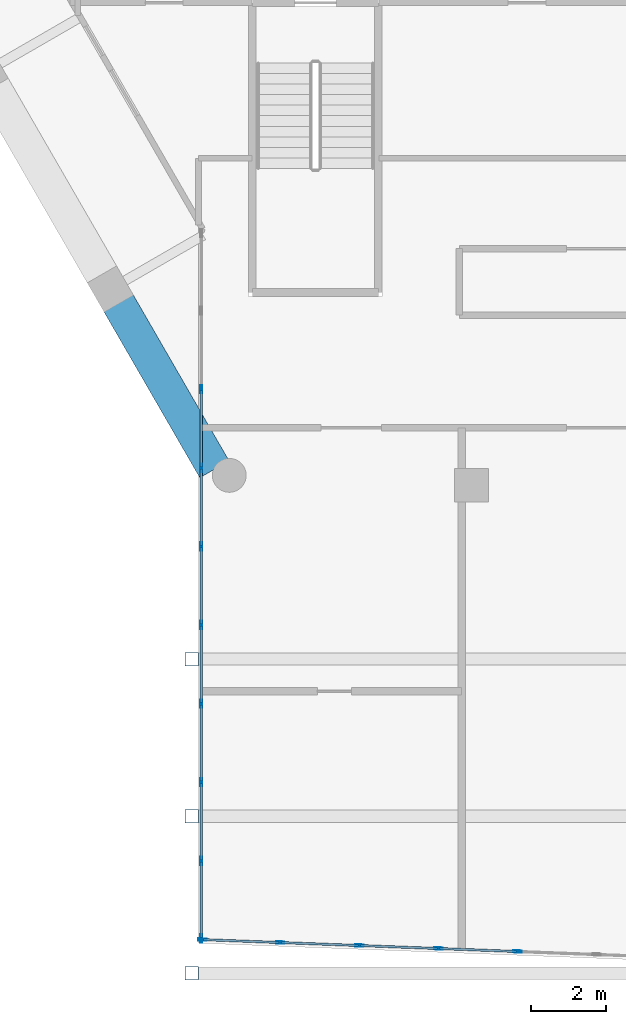
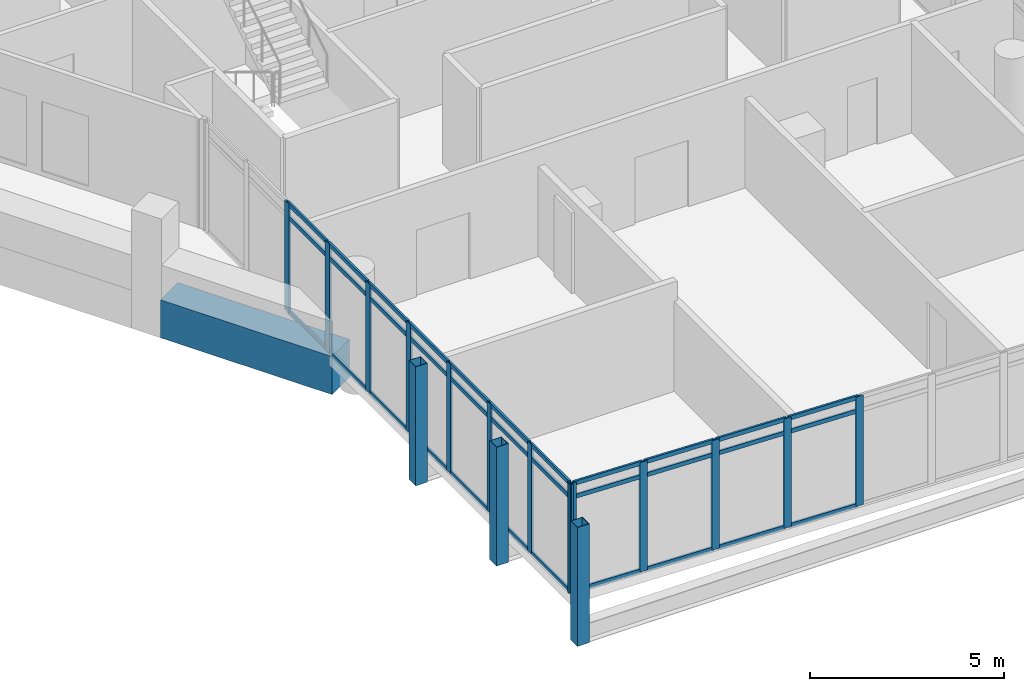
# One storey, part 2 of 25: 49 members, 1 beam, 2 elements without a shape of their own.
"""IFC4 building model written with IfcOpenShell, lengths in metres."""

from ifc_helpers import new_model, si_unit, direction, frame, origin, origin_2d, place, context, subcontext, project, spatial, rectangle, hollow_rectangle, extrude, material, material_profile, profile_set, type_object, element, aggregate, save


model = new_model("IFC4")

# Units and contexts
model_context = context("Model", 3, precision=1e-05, world=origin(), true_north=direction((0.0, 1.0)))
body_context = subcontext(model_context, "Body", "Model", "MODEL_VIEW")
ifc_project = project(units=[si_unit("LENGTHUNIT", "METRE"), si_unit("AREAUNIT", "SQUARE_METRE"), si_unit("VOLUMEUNIT", "CUBIC_METRE"), si_unit("PLANEANGLEUNIT", "RADIAN"), si_unit("MASSUNIT", "GRAM", prefix="KILO")], contexts=[model_context])

# Site, building, storey
site_placement = place(None, origin())
site = spatial("IfcSite", under=ifc_project, at=site_placement, CompositionType="ELEMENT")
building_placement = place(site_placement, origin())
building = spatial("IfcBuilding", under=site, at=building_placement, Name="Ostrander Bayou Hotel Tower", CompositionType="ELEMENT")
storey_placement = place(building_placement, frame((0.0, 0.0, 229.5)))
storey = spatial("IfcBuildingStorey", under=building, at=storey_placement, Name="L57", CompositionType="ELEMENT", Elevation=229.5)

# Curtain wall, members
ifc_material_1 = material(Name="Aluminium and clear glass", Category="aluminium")
curtain_wall_type = type_object("IfcCurtainWallType", Name="CW-BAR glazed wall", PredefinedType="NOTDEFINED", material=ifc_material_1)
curtain_wall_1_placement = place(storey_placement, origin())
curtain_wall_1 = element("IfcCurtainWall", 1, at=curtain_wall_1_placement, inside=storey, type_object=curtain_wall_type, Name="CW-BAR L57:SB5S:E", PredefinedType="NOTDEFINED")
ifc_material_2 = material(Name="Aluminium", Category="aluminium")
ifc_material_profile_1 = material_profile(ifc_material_2, hollow_rectangle(XDim=0.06005859375, YDim=0.219970703125, WallThickness=0.00390625, at=origin_2d()))
ifc_profile_set_1 = profile_set([ifc_material_profile_1], Name="Aluminium")
member_type_1 = type_object("IfcMemberType", Name="CW-BR mullion 60 x 220 mm", PredefinedType="MULLION", material=ifc_profile_set_1)
member_1_placement = place(storey_placement, frame((-10.51220703125, -13.972412109375, 0.0), z_axis=(0.0, 0.0, 1.0), x_axis=(1.0, 0.0, 0.0)))
member_1 = element("IfcMember", 2, at=member_1_placement, type_object=member_type_1, Name="CW-BAR mullion 3", PredefinedType="MULLION", context=body_context, shape_type="SweptSolid", body=[
    extrude(hollow_rectangle(XDim=0.06005859375, YDim=0.219970703125, WallThickness=0.00390625, at=origin_2d()), origin(), (0.0, 0.0, 1.0), 3.449951171875),
])
member_2_placement = place(storey_placement, frame((-10.51220703125, -16.0625, 0.0), z_axis=(0.0, 0.0, 1.0), x_axis=(1.0, 0.0, 0.0)))
member_2 = element("IfcMember", 3, at=member_2_placement, type_object=member_type_1, Name="CW-BAR mullion 4", PredefinedType="MULLION", context=body_context, shape_type="SweptSolid", body=[
    extrude(hollow_rectangle(XDim=0.06005859375, YDim=0.219970703125, WallThickness=0.00390625, at=origin_2d()), origin(), (0.0, 0.0, 1.0), 3.449951171875),
])
member_3_placement = place(storey_placement, frame((-10.51220703125, -18.152587890625, 0.0), z_axis=(0.0, 0.0, 1.0), x_axis=(1.0, 0.0, 0.0)))
member_3 = element("IfcMember", 4, at=member_3_placement, type_object=member_type_1, Name="CW-BAR mullion 5", PredefinedType="MULLION", context=body_context, shape_type="SweptSolid", body=[
    extrude(hollow_rectangle(XDim=0.06005859375, YDim=0.219970703125, WallThickness=0.00390625, at=origin_2d()), origin(), (0.0, 0.0, 1.0), 3.449951171875),
])
member_4_placement = place(storey_placement, frame((-10.51220703125, -20.24267578125, 0.0), z_axis=(0.0, 0.0, 1.0), x_axis=(1.0, 0.0, 0.0)))
member_4 = element("IfcMember", 5, at=member_4_placement, type_object=member_type_1, Name="CW-BAR mullion 6", PredefinedType="MULLION", context=body_context, shape_type="SweptSolid", body=[
    extrude(hollow_rectangle(XDim=0.06005859375, YDim=0.219970703125, WallThickness=0.00390625, at=origin_2d()), origin(), (0.0, 0.0, 1.0), 3.449951171875),
])
member_5_placement = place(storey_placement, frame((-10.51220703125, -22.33251953125, 0.0), z_axis=(0.0, 0.0, 1.0), x_axis=(1.0, 0.0, 0.0)))
member_5 = element("IfcMember", 6, at=member_5_placement, type_object=member_type_1, Name="CW-BAR mullion 7", PredefinedType="MULLION", context=body_context, shape_type="SweptSolid", body=[
    extrude(hollow_rectangle(XDim=0.06005859375, YDim=0.219970703125, WallThickness=0.00390625, at=origin_2d()), origin(), (0.0, 0.0, 1.0), 3.449951171875),
])
member_6_placement = place(storey_placement, frame((-10.51220703125, -24.422607421875, 0.0), z_axis=(0.0, 0.0, 1.0), x_axis=(1.0, 0.0, 0.0)))
member_6 = element("IfcMember", 7, at=member_6_placement, type_object=member_type_1, Name="CW-BAR mullion 8", PredefinedType="MULLION", context=body_context, shape_type="SweptSolid", body=[
    extrude(hollow_rectangle(XDim=0.06005859375, YDim=0.219970703125, WallThickness=0.00390625, at=origin_2d()), origin(), (0.0, 0.0, 1.0), 3.449951171875),
])
member_7_placement = place(storey_placement, frame((-10.51220703125, -26.5126953125, 0.0), z_axis=(0.0, 0.0, 1.0), x_axis=(1.0, 0.0, 0.0)))
member_7 = element("IfcMember", 8, at=member_7_placement, type_object=member_type_1, Name="CW-BAR mullion 9", PredefinedType="MULLION", context=body_context, shape_type="SweptSolid", body=[
    extrude(hollow_rectangle(XDim=0.06005859375, YDim=0.219970703125, WallThickness=0.00390625, at=origin_2d()), origin(), (0.0, 0.0, 1.0), 3.449951171875),
])
member_8_placement = place(storey_placement, frame((-10.51220703125, -28.57275390625, 0.0), z_axis=(0.0, 0.0, 1.0), x_axis=(1.0, 0.0, 0.0)))
member_8 = element("IfcMember", 9, at=member_8_placement, type_object=member_type_1, Name="CW-BAR mullion 10", PredefinedType="MULLION", context=body_context, shape_type="SweptSolid", body=[
    extrude(hollow_rectangle(XDim=0.06005859375, YDim=0.219970703125, WallThickness=0.00390625, at=origin_2d()), origin(), (0.0, 0.0, 1.0), 3.449951171875),
])

curtain_wall_2_placement = place(storey_placement, origin())
curtain_wall_2 = element("IfcCurtainWall", 10, at=curtain_wall_2_placement, inside=storey, type_object=curtain_wall_type, Name="CW-BAR L57:SB5S:T", PredefinedType="NOTDEFINED")
member_9_placement = place(storey_placement, frame((-10.482177734375, -28.60400390625, 0.0), z_axis=(0.0, 0.0, 1.0), x_axis=(0.037757725854, 0.99928692283, 0.0)))
member_9 = element("IfcMember", 11, at=member_9_placement, type_object=member_type_1, Name="CW-BAR mullion 1", PredefinedType="MULLION", context=body_context, shape_type="SweptSolid", body=[
    extrude(hollow_rectangle(XDim=0.06005859375, YDim=0.219970703125, WallThickness=0.00390625, at=origin_2d()), origin(), (0.0, 0.0, 1.0), 3.449951171875),
])
member_10_placement = place(storey_placement, frame((-8.40966796875, -28.68212890625, 0.0), z_axis=(0.0, 0.0, 1.0), x_axis=(0.037757725854, 0.99928692283, 0.0)))
member_10 = element("IfcMember", 12, at=member_10_placement, type_object=member_type_1, Name="CW-BAR mullion 2", PredefinedType="MULLION", context=body_context, shape_type="SweptSolid", body=[
    extrude(hollow_rectangle(XDim=0.06005859375, YDim=0.219970703125, WallThickness=0.00390625, at=origin_2d()), origin(), (0.0, 0.0, 1.0), 3.449951171875),
])
member_11_placement = place(storey_placement, frame((-6.307373046875, -28.76171875, 0.0), z_axis=(0.0, 0.0, 1.0), x_axis=(0.037757725854, 0.99928692283, 0.0)))
member_11 = element("IfcMember", 13, at=member_11_placement, type_object=member_type_1, Name="CW-BAR mullion 3", PredefinedType="MULLION", context=body_context, shape_type="SweptSolid", body=[
    extrude(hollow_rectangle(XDim=0.06005859375, YDim=0.219970703125, WallThickness=0.00390625, at=origin_2d()), origin(), (0.0, 0.0, 1.0), 3.449951171875),
])
member_12_placement = place(storey_placement, frame((-4.204833984375, -28.841064453125, 0.0), z_axis=(0.0, 0.0, 1.0), x_axis=(0.037757725854, 0.99928692283, 0.0)))
member_12 = element("IfcMember", 14, at=member_12_placement, type_object=member_type_1, Name="CW-BAR mullion 4", PredefinedType="MULLION", context=body_context, shape_type="SweptSolid", body=[
    extrude(hollow_rectangle(XDim=0.06005859375, YDim=0.219970703125, WallThickness=0.00390625, at=origin_2d()), origin(), (0.0, 0.0, 1.0), 3.449951171875),
])
member_13_placement = place(storey_placement, frame((-2.1025390625, -28.920654296875, 0.0), z_axis=(0.0, 0.0, 1.0), x_axis=(0.037757725854, 0.99928692283, 0.0)))
member_13 = element("IfcMember", 15, at=member_13_placement, type_object=member_type_1, Name="CW-BAR mullion 5", PredefinedType="MULLION", context=body_context, shape_type="SweptSolid", body=[
    extrude(hollow_rectangle(XDim=0.06005859375, YDim=0.219970703125, WallThickness=0.00390625, at=origin_2d()), origin(), (0.0, 0.0, 1.0), 3.449951171875),
])

# Member
ifc_material_3 = material(Name="Aluminium", Category="aluminium")
ifc_material_profile_2 = material_profile(ifc_material_3, hollow_rectangle(XDim=0.06005859375, YDim=0.1298828125, WallThickness=0.00390625, at=origin_2d()))
ifc_profile_set_2 = profile_set([ifc_material_profile_2], Name="Aluminium")
member_type_2 = type_object("IfcMemberType", Name="CW-BR transom 60 x 130 mm", PredefinedType="USERDEFINED", material=ifc_profile_set_2)
member_14_placement = place(storey_placement, frame((-10.51220703125, -14.00244140625, 0.030029296875), z_axis=(0.0, -1.0, 0.0), x_axis=(1.0, 0.0, 0.0)))
member_14 = element("IfcMember", 16, at=member_14_placement, type_object=member_type_2, Name="CW-BAR transom 3.1", ObjectType="TRANSOM", PredefinedType="USERDEFINED", context=body_context, shape_type="SweptSolid", body=[
    extrude(hollow_rectangle(XDim=0.06005859375, YDim=0.1298828125, WallThickness=0.00390625, at=origin_2d()), origin(), (0.0, 0.0, 1.0), 2.030029296875),
])

member_15_placement = place(storey_placement, frame((-10.51220703125, -14.00244140625, 3.0), z_axis=(0.0, -1.0, 0.0), x_axis=(1.0, 0.0, 0.0)))
member_15 = element("IfcMember", 17, at=member_15_placement, type_object=member_type_2, Name="CW-BAR transom 3.2", ObjectType="TRANSOM", PredefinedType="USERDEFINED", context=body_context, shape_type="SweptSolid", body=[
    extrude(hollow_rectangle(XDim=0.06005859375, YDim=0.1298828125, WallThickness=0.00390625, at=origin_2d()), origin(), (0.0, 0.0, 1.0), 2.030029296875),
])

member_16_placement = place(storey_placement, frame((-10.51220703125, -14.00244140625, 3.419921875), z_axis=(0.0, -1.0, 0.0), x_axis=(1.0, 0.0, 0.0)))
member_16 = element("IfcMember", 18, at=member_16_placement, type_object=member_type_2, Name="CW-BAR transom 3.3", ObjectType="TRANSOM", PredefinedType="USERDEFINED", context=body_context, shape_type="SweptSolid", body=[
    extrude(hollow_rectangle(XDim=0.06005859375, YDim=0.1298828125, WallThickness=0.00390625, at=origin_2d()), origin(), (0.0, 0.0, 1.0), 2.030029296875),
])

member_17_placement = place(storey_placement, frame((-10.51220703125, -16.092529296875, 0.030029296875), z_axis=(0.0, -1.0, 0.0), x_axis=(1.0, 0.0, 0.0)))
member_17 = element("IfcMember", 19, at=member_17_placement, type_object=member_type_2, Name="CW-BAR transom 4.1", ObjectType="TRANSOM", PredefinedType="USERDEFINED", context=body_context, shape_type="SweptSolid", body=[
    extrude(hollow_rectangle(XDim=0.06005859375, YDim=0.1298828125, WallThickness=0.00390625, at=origin_2d()), origin(), (0.0, 0.0, 1.0), 2.030029296875),
])

member_18_placement = place(storey_placement, frame((-10.51220703125, -16.092529296875, 3.0), z_axis=(0.0, -1.0, 0.0), x_axis=(1.0, 0.0, 0.0)))
member_18 = element("IfcMember", 20, at=member_18_placement, type_object=member_type_2, Name="CW-BAR transom 4.2", ObjectType="TRANSOM", PredefinedType="USERDEFINED", context=body_context, shape_type="SweptSolid", body=[
    extrude(hollow_rectangle(XDim=0.06005859375, YDim=0.1298828125, WallThickness=0.00390625, at=origin_2d()), origin(), (0.0, 0.0, 1.0), 2.030029296875),
])

member_19_placement = place(storey_placement, frame((-10.51220703125, -16.092529296875, 3.419921875), z_axis=(0.0, -1.0, 0.0), x_axis=(1.0, 0.0, 0.0)))
member_19 = element("IfcMember", 21, at=member_19_placement, type_object=member_type_2, Name="CW-BAR transom 4.3", ObjectType="TRANSOM", PredefinedType="USERDEFINED", context=body_context, shape_type="SweptSolid", body=[
    extrude(hollow_rectangle(XDim=0.06005859375, YDim=0.1298828125, WallThickness=0.00390625, at=origin_2d()), origin(), (0.0, 0.0, 1.0), 2.030029296875),
])

member_20_placement = place(storey_placement, frame((-10.51220703125, -18.1826171875, 0.030029296875), z_axis=(0.0, -1.0, 0.0), x_axis=(1.0, 0.0, 0.0)))
member_20 = element("IfcMember", 22, at=member_20_placement, type_object=member_type_2, Name="CW-BAR transom 5.1", ObjectType="TRANSOM", PredefinedType="USERDEFINED", context=body_context, shape_type="SweptSolid", body=[
    extrude(hollow_rectangle(XDim=0.06005859375, YDim=0.1298828125, WallThickness=0.00390625, at=origin_2d()), origin(), (0.0, 0.0, 1.0), 2.030029296875),
])

member_21_placement = place(storey_placement, frame((-10.51220703125, -18.1826171875, 3.0), z_axis=(0.0, -1.0, 0.0), x_axis=(1.0, 0.0, 0.0)))
member_21 = element("IfcMember", 23, at=member_21_placement, type_object=member_type_2, Name="CW-BAR transom 5.2", ObjectType="TRANSOM", PredefinedType="USERDEFINED", context=body_context, shape_type="SweptSolid", body=[
    extrude(hollow_rectangle(XDim=0.06005859375, YDim=0.1298828125, WallThickness=0.00390625, at=origin_2d()), origin(), (0.0, 0.0, 1.0), 2.030029296875),
])

member_22_placement = place(storey_placement, frame((-10.51220703125, -18.1826171875, 3.419921875), z_axis=(0.0, -1.0, 0.0), x_axis=(1.0, 0.0, 0.0)))
member_22 = element("IfcMember", 24, at=member_22_placement, type_object=member_type_2, Name="CW-BAR transom 5.3", ObjectType="TRANSOM", PredefinedType="USERDEFINED", context=body_context, shape_type="SweptSolid", body=[
    extrude(hollow_rectangle(XDim=0.06005859375, YDim=0.1298828125, WallThickness=0.00390625, at=origin_2d()), origin(), (0.0, 0.0, 1.0), 2.030029296875),
])

member_23_placement = place(storey_placement, frame((-10.51220703125, -20.2724609375, 0.030029296875), z_axis=(0.0, -1.0, 0.0), x_axis=(1.0, 0.0, 0.0)))
member_23 = element("IfcMember", 25, at=member_23_placement, type_object=member_type_2, Name="CW-BAR transom 6.1", ObjectType="TRANSOM", PredefinedType="USERDEFINED", context=body_context, shape_type="SweptSolid", body=[
    extrude(hollow_rectangle(XDim=0.06005859375, YDim=0.1298828125, WallThickness=0.00390625, at=origin_2d()), origin(), (0.0, 0.0, 1.0), 2.0302734375),
])

member_24_placement = place(storey_placement, frame((-10.51220703125, -20.2724609375, 3.0), z_axis=(0.0, -1.0, 0.0), x_axis=(1.0, 0.0, 0.0)))
member_24 = element("IfcMember", 26, at=member_24_placement, type_object=member_type_2, Name="CW-BAR transom 6.2", ObjectType="TRANSOM", PredefinedType="USERDEFINED", context=body_context, shape_type="SweptSolid", body=[
    extrude(hollow_rectangle(XDim=0.06005859375, YDim=0.1298828125, WallThickness=0.00390625, at=origin_2d()), origin(), (0.0, 0.0, 1.0), 2.0302734375),
])

member_25_placement = place(storey_placement, frame((-10.51220703125, -20.2724609375, 3.419921875), z_axis=(0.0, -1.0, 0.0), x_axis=(1.0, 0.0, 0.0)))
member_25 = element("IfcMember", 27, at=member_25_placement, type_object=member_type_2, Name="CW-BAR transom 6.3", ObjectType="TRANSOM", PredefinedType="USERDEFINED", context=body_context, shape_type="SweptSolid", body=[
    extrude(hollow_rectangle(XDim=0.06005859375, YDim=0.1298828125, WallThickness=0.00390625, at=origin_2d()), origin(), (0.0, 0.0, 1.0), 2.0302734375),
])

member_26_placement = place(storey_placement, frame((-10.51220703125, -22.362548828125, 0.030029296875), z_axis=(0.0, -1.0, 0.0), x_axis=(1.0, 0.0, 0.0)))
member_26 = element("IfcMember", 28, at=member_26_placement, type_object=member_type_2, Name="CW-BAR transom 7.1", ObjectType="TRANSOM", PredefinedType="USERDEFINED", context=body_context, shape_type="SweptSolid", body=[
    extrude(hollow_rectangle(XDim=0.06005859375, YDim=0.1298828125, WallThickness=0.00390625, at=origin_2d()), origin(), (0.0, 0.0, 1.0), 2.030029296875),
])

member_27_placement = place(storey_placement, frame((-10.51220703125, -22.362548828125, 3.0), z_axis=(0.0, -1.0, 0.0), x_axis=(1.0, 0.0, 0.0)))
member_27 = element("IfcMember", 29, at=member_27_placement, type_object=member_type_2, Name="CW-BAR transom 7.2", ObjectType="TRANSOM", PredefinedType="USERDEFINED", context=body_context, shape_type="SweptSolid", body=[
    extrude(hollow_rectangle(XDim=0.06005859375, YDim=0.1298828125, WallThickness=0.00390625, at=origin_2d()), origin(), (0.0, 0.0, 1.0), 2.030029296875),
])

member_28_placement = place(storey_placement, frame((-10.51220703125, -22.362548828125, 3.419921875), z_axis=(0.0, -1.0, 0.0), x_axis=(1.0, 0.0, 0.0)))
member_28 = element("IfcMember", 30, at=member_28_placement, type_object=member_type_2, Name="CW-BAR transom 7.3", ObjectType="TRANSOM", PredefinedType="USERDEFINED", context=body_context, shape_type="SweptSolid", body=[
    extrude(hollow_rectangle(XDim=0.06005859375, YDim=0.1298828125, WallThickness=0.00390625, at=origin_2d()), origin(), (0.0, 0.0, 1.0), 2.030029296875),
])

member_29_placement = place(storey_placement, frame((-10.51220703125, -24.45263671875, 0.030029296875), z_axis=(0.0, -1.0, 0.0), x_axis=(1.0, 0.0, 0.0)))
member_29 = element("IfcMember", 31, at=member_29_placement, type_object=member_type_2, Name="CW-BAR transom 8.1", ObjectType="TRANSOM", PredefinedType="USERDEFINED", context=body_context, shape_type="SweptSolid", body=[
    extrude(hollow_rectangle(XDim=0.06005859375, YDim=0.1298828125, WallThickness=0.00390625, at=origin_2d()), origin(), (0.0, 0.0, 1.0), 2.030029296875),
])

member_30_placement = place(storey_placement, frame((-10.51220703125, -24.45263671875, 3.0), z_axis=(0.0, -1.0, 0.0), x_axis=(1.0, 0.0, 0.0)))
member_30 = element("IfcMember", 32, at=member_30_placement, type_object=member_type_2, Name="CW-BAR transom 8.2", ObjectType="TRANSOM", PredefinedType="USERDEFINED", context=body_context, shape_type="SweptSolid", body=[
    extrude(hollow_rectangle(XDim=0.06005859375, YDim=0.1298828125, WallThickness=0.00390625, at=origin_2d()), origin(), (0.0, 0.0, 1.0), 2.030029296875),
])

member_31_placement = place(storey_placement, frame((-10.51220703125, -24.45263671875, 3.419921875), z_axis=(0.0, -1.0, 0.0), x_axis=(1.0, 0.0, 0.0)))
member_31 = element("IfcMember", 33, at=member_31_placement, type_object=member_type_2, Name="CW-BAR transom 8.3", ObjectType="TRANSOM", PredefinedType="USERDEFINED", context=body_context, shape_type="SweptSolid", body=[
    extrude(hollow_rectangle(XDim=0.06005859375, YDim=0.1298828125, WallThickness=0.00390625, at=origin_2d()), origin(), (0.0, 0.0, 1.0), 2.030029296875),
])

member_32_placement = place(storey_placement, frame((-10.51220703125, -26.542724609375, 0.030029296875), z_axis=(0.0, -1.0, 0.0), x_axis=(1.0, 0.0, 0.0)))
member_32 = element("IfcMember", 34, at=member_32_placement, type_object=member_type_2, Name="CW-BAR transom 9.1", ObjectType="TRANSOM", PredefinedType="USERDEFINED", context=body_context, shape_type="SweptSolid", body=[
    extrude(hollow_rectangle(XDim=0.06005859375, YDim=0.1298828125, WallThickness=0.00390625, at=origin_2d()), origin(), (0.0, 0.0, 1.0), 2.0),
])

member_33_placement = place(storey_placement, frame((-10.51220703125, -26.542724609375, 3.0), z_axis=(0.0, -1.0, 0.0), x_axis=(1.0, 0.0, 0.0)))
member_33 = element("IfcMember", 35, at=member_33_placement, type_object=member_type_2, Name="CW-BAR transom 9.2", ObjectType="TRANSOM", PredefinedType="USERDEFINED", context=body_context, shape_type="SweptSolid", body=[
    extrude(hollow_rectangle(XDim=0.06005859375, YDim=0.1298828125, WallThickness=0.00390625, at=origin_2d()), origin(), (0.0, 0.0, 1.0), 2.0),
])

member_34_placement = place(storey_placement, frame((-10.51220703125, -26.542724609375, 3.419921875), z_axis=(0.0, -1.0, 0.0), x_axis=(1.0, 0.0, 0.0)))
member_34 = element("IfcMember", 36, at=member_34_placement, type_object=member_type_2, Name="CW-BAR transom 9.3", ObjectType="TRANSOM", PredefinedType="USERDEFINED", context=body_context, shape_type="SweptSolid", body=[
    extrude(hollow_rectangle(XDim=0.06005859375, YDim=0.1298828125, WallThickness=0.00390625, at=origin_2d()), origin(), (0.0, 0.0, 1.0), 2.0),
])

aggregate(curtain_wall_1, [member_1, member_2, member_3, member_4, member_5, member_6, member_7, member_8, member_14, member_15, member_16, member_17, member_18, member_19, member_20, member_21, member_22, member_23, member_24, member_25, member_26, member_27, member_28, member_29, member_30, member_31, member_32, member_33, member_34])

member_35_placement = place(storey_placement, frame((-10.4521484375, -28.60498046875, 0.030029296875), z_axis=(0.999284446259, -0.0378232133, 0.0), x_axis=(0.0378232133, 0.999284446259, 0.0)))
member_35 = element("IfcMember", 37, at=member_35_placement, type_object=member_type_2, Name="CW-BAR transom 1.1", ObjectType="TRANSOM", PredefinedType="USERDEFINED", context=body_context, shape_type="SweptSolid", body=[
    extrude(hollow_rectangle(XDim=0.06005859375, YDim=0.1298828125, WallThickness=0.00390625, at=origin_2d()), origin(), (0.0, 0.0, 1.0), 2.013916015625),
])

member_36_placement = place(storey_placement, frame((-10.4521484375, -28.60498046875, 3.0), z_axis=(0.999284446259, -0.0378232133, 0.0), x_axis=(0.0378232133, 0.999284446259, 0.0)))
member_36 = element("IfcMember", 38, at=member_36_placement, type_object=member_type_2, Name="CW-BAR transom 1.2", ObjectType="TRANSOM", PredefinedType="USERDEFINED", context=body_context, shape_type="SweptSolid", body=[
    extrude(hollow_rectangle(XDim=0.06005859375, YDim=0.1298828125, WallThickness=0.00390625, at=origin_2d()), origin(), (0.0, 0.0, 1.0), 2.013916015625),
])

member_37_placement = place(storey_placement, frame((-10.4521484375, -28.60498046875, 3.419921875), z_axis=(0.999284446259, -0.0378232133, 0.0), x_axis=(0.0378232133, 0.999284446259, 0.0)))
member_37 = element("IfcMember", 39, at=member_37_placement, type_object=member_type_2, Name="CW-BAR transom 1.3", ObjectType="TRANSOM", PredefinedType="USERDEFINED", context=body_context, shape_type="SweptSolid", body=[
    extrude(hollow_rectangle(XDim=0.06005859375, YDim=0.1298828125, WallThickness=0.00390625, at=origin_2d()), origin(), (0.0, 0.0, 1.0), 2.013916015625),
])

member_38_placement = place(storey_placement, frame((-8.3798828125, -28.683349609375, 0.030029296875), z_axis=(0.999287402917, -0.037745017849, 0.0), x_axis=(0.037745017849, 0.999287402917, 0.0)))
member_38 = element("IfcMember", 40, at=member_38_placement, type_object=member_type_2, Name="CW-BAR transom 2.1", ObjectType="TRANSOM", PredefinedType="USERDEFINED", context=body_context, shape_type="SweptSolid", body=[
    extrude(hollow_rectangle(XDim=0.06005859375, YDim=0.1298828125, WallThickness=0.00390625, at=origin_2d()), origin(), (0.0, 0.0, 1.0), 2.0439453125),
])

member_39_placement = place(storey_placement, frame((-8.3798828125, -28.683349609375, 3.0), z_axis=(0.999287402917, -0.037745017849, 0.0), x_axis=(0.037745017849, 0.999287402917, 0.0)))
member_39 = element("IfcMember", 41, at=member_39_placement, type_object=member_type_2, Name="CW-BAR transom 2.2", ObjectType="TRANSOM", PredefinedType="USERDEFINED", context=body_context, shape_type="SweptSolid", body=[
    extrude(hollow_rectangle(XDim=0.06005859375, YDim=0.1298828125, WallThickness=0.00390625, at=origin_2d()), origin(), (0.0, 0.0, 1.0), 2.0439453125),
])

member_40_placement = place(storey_placement, frame((-8.3798828125, -28.683349609375, 3.419921875), z_axis=(0.999287402917, -0.037745017849, 0.0), x_axis=(0.037745017849, 0.999287402917, 0.0)))
member_40 = element("IfcMember", 42, at=member_40_placement, type_object=member_type_2, Name="CW-BAR transom 2.3", ObjectType="TRANSOM", PredefinedType="USERDEFINED", context=body_context, shape_type="SweptSolid", body=[
    extrude(hollow_rectangle(XDim=0.06005859375, YDim=0.1298828125, WallThickness=0.00390625, at=origin_2d()), origin(), (0.0, 0.0, 1.0), 2.0439453125),
])

member_41_placement = place(storey_placement, frame((-6.27734375, -28.7626953125, 0.030029296875), z_axis=(0.99928289053, -0.037864293127, 0.0), x_axis=(0.037864293127, 0.99928289053, 0.0)))
member_41 = element("IfcMember", 43, at=member_41_placement, type_object=member_type_2, Name="CW-BAR transom 3.1", ObjectType="TRANSOM", PredefinedType="USERDEFINED", context=body_context, shape_type="SweptSolid", body=[
    extrude(hollow_rectangle(XDim=0.06005859375, YDim=0.1298828125, WallThickness=0.00390625, at=origin_2d()), origin(), (0.0, 0.0, 1.0), 2.0439453125),
])

member_42_placement = place(storey_placement, frame((-6.27734375, -28.7626953125, 3.0), z_axis=(0.99928289053, -0.037864293127, 0.0), x_axis=(0.037864293127, 0.99928289053, 0.0)))
member_42 = element("IfcMember", 44, at=member_42_placement, type_object=member_type_2, Name="CW-BAR transom 3.2", ObjectType="TRANSOM", PredefinedType="USERDEFINED", context=body_context, shape_type="SweptSolid", body=[
    extrude(hollow_rectangle(XDim=0.06005859375, YDim=0.1298828125, WallThickness=0.00390625, at=origin_2d()), origin(), (0.0, 0.0, 1.0), 2.0439453125),
])

member_43_placement = place(storey_placement, frame((-6.27734375, -28.7626953125, 3.419921875), z_axis=(0.99928289053, -0.037864293127, 0.0), x_axis=(0.037864293127, 0.99928289053, 0.0)))
member_43 = element("IfcMember", 45, at=member_43_placement, type_object=member_type_2, Name="CW-BAR transom 3.3", ObjectType="TRANSOM", PredefinedType="USERDEFINED", context=body_context, shape_type="SweptSolid", body=[
    extrude(hollow_rectangle(XDim=0.06005859375, YDim=0.1298828125, WallThickness=0.00390625, at=origin_2d()), origin(), (0.0, 0.0, 1.0), 2.0439453125),
])

member_44_placement = place(storey_placement, frame((-4.1748046875, -28.84228515625, 0.030029296875), z_axis=(0.999287402917, -0.037745017849, 0.0), x_axis=(0.037745017849, 0.999287402917, 0.0)))
member_44 = element("IfcMember", 46, at=member_44_placement, type_object=member_type_2, Name="CW-BAR transom 4.1", ObjectType="TRANSOM", PredefinedType="USERDEFINED", context=body_context, shape_type="SweptSolid", body=[
    extrude(hollow_rectangle(XDim=0.06005859375, YDim=0.1298828125, WallThickness=0.00390625, at=origin_2d()), origin(), (0.0, 0.0, 1.0), 2.0439453125),
])

member_45_placement = place(storey_placement, frame((-4.1748046875, -28.84228515625, 3.0), z_axis=(0.999287402917, -0.037745017849, 0.0), x_axis=(0.037745017849, 0.999287402917, 0.0)))
member_45 = element("IfcMember", 47, at=member_45_placement, type_object=member_type_2, Name="CW-BAR transom 4.2", ObjectType="TRANSOM", PredefinedType="USERDEFINED", context=body_context, shape_type="SweptSolid", body=[
    extrude(hollow_rectangle(XDim=0.06005859375, YDim=0.1298828125, WallThickness=0.00390625, at=origin_2d()), origin(), (0.0, 0.0, 1.0), 2.0439453125),
])

member_46_placement = place(storey_placement, frame((-4.1748046875, -28.84228515625, 3.419921875), z_axis=(0.999287402917, -0.037745017849, 0.0), x_axis=(0.037745017849, 0.999287402917, 0.0)))
member_46 = element("IfcMember", 48, at=member_46_placement, type_object=member_type_2, Name="CW-BAR transom 4.3", ObjectType="TRANSOM", PredefinedType="USERDEFINED", context=body_context, shape_type="SweptSolid", body=[
    extrude(hollow_rectangle(XDim=0.06005859375, YDim=0.1298828125, WallThickness=0.00390625, at=origin_2d()), origin(), (0.0, 0.0, 1.0), 2.0439453125),
])

aggregate(curtain_wall_2, [member_9, member_10, member_11, member_12, member_13, member_35, member_36, member_37, member_38, member_39, member_40, member_41, member_42, member_43, member_44, member_45, member_46])

# Beam
ifc_material_4 = material(Name="Concrete f'c 60 MPa", Category="concrete")
ifc_material_profile_3 = material_profile(ifc_material_4, rectangle(XDim=0.89990234375, YDim=1.199951171875, at=origin_2d()))
ifc_profile_set_3 = profile_set([ifc_material_profile_3], Name="Concrete f'c 60 MPa")
beam_type = type_object("IfcBeamType", Name="SP4 spandrel beam 900 x 1200 mm f'c 60 MPa", PredefinedType="SPANDREL", material=ifc_profile_set_3)
beam_placement = place(storey_placement, frame((-12.7177734375, -11.672119140625, -0.60009765625), z_axis=(0.500015879365, -0.866016235635, 0.0), x_axis=(0.866016235635, 0.500015879365, 0.0)))
element("IfcBeam", 49, at=beam_placement, inside=storey, type_object=beam_type, Name="SP4 L57 SW-3", PredefinedType="SPANDREL", context=body_context, shape_type="SweptSolid", body=[
    extrude(rectangle(XDim=0.89990234375, YDim=1.199951171875, at=origin_2d()), origin(), (0.0, 0.0, 1.0), 5.113525390625),
])

# Members
ifc_material_5 = material(Name="Steel ASTM A500 Gr C", Category="steel")
ifc_material_profile_4 = material_profile(ifc_material_5, hollow_rectangle(XDim=0.355712890625, YDim=0.355712890625, WallThickness=0.0146484375, at=origin_2d()))
ifc_profile_set_4 = profile_set([ifc_material_profile_4], Name="Steel ASTM A500 Gr C")
member_type_3 = type_object("IfcMemberType", Name="TH1 bar hanger HSS14x14x5/8", PredefinedType="POST", material=ifc_profile_set_4)
for number, where, z_axis, x_axis, name in (
    (50, (-10.764892578125, -21.147705078125, -0.9111328125), (0.0, 0.0, 1.0), (1.0, 0.0, 0.0), "TH1 SB5SA H1-3"),
    (51, (-10.764892578125, -25.32373046875, -0.9111328125), (0.0, 0.0, 1.0), (1.0, 0.0, 0.0), "TH1 SB5SA H2-3"),
    (52, (-10.764892578125, -29.5, -0.9111328125), (0.0, 0.0, 1.0), (1.0, 0.0, 0.0), "TH1 SB5SA H3-3"),
):
    element("IfcMember", number, at=place(storey_placement, frame(where, z_axis=z_axis, x_axis=x_axis)), inside=storey, type_object=member_type_3, Name=name, PredefinedType="POST", context=body_context, shape_type="SweptSolid", body=[
        extrude(hollow_rectangle(XDim=0.355712890625, YDim=0.355712890625, WallThickness=0.0146484375, at=origin_2d()), origin(), (0.0, 0.0, 1.0), 3.75),
    ])

save(model, "model.ifc")
